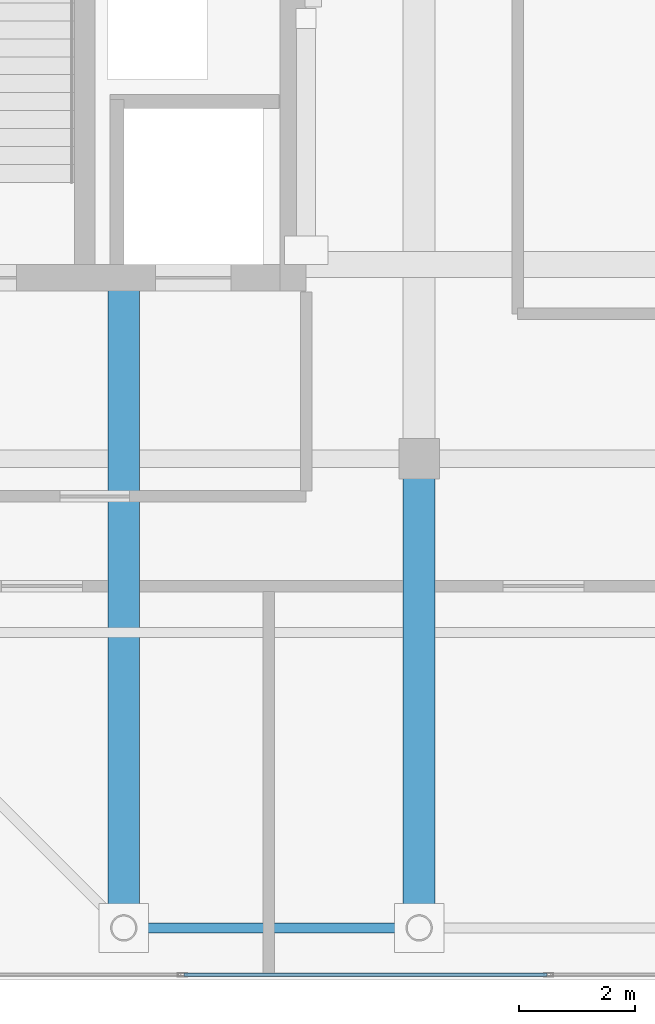
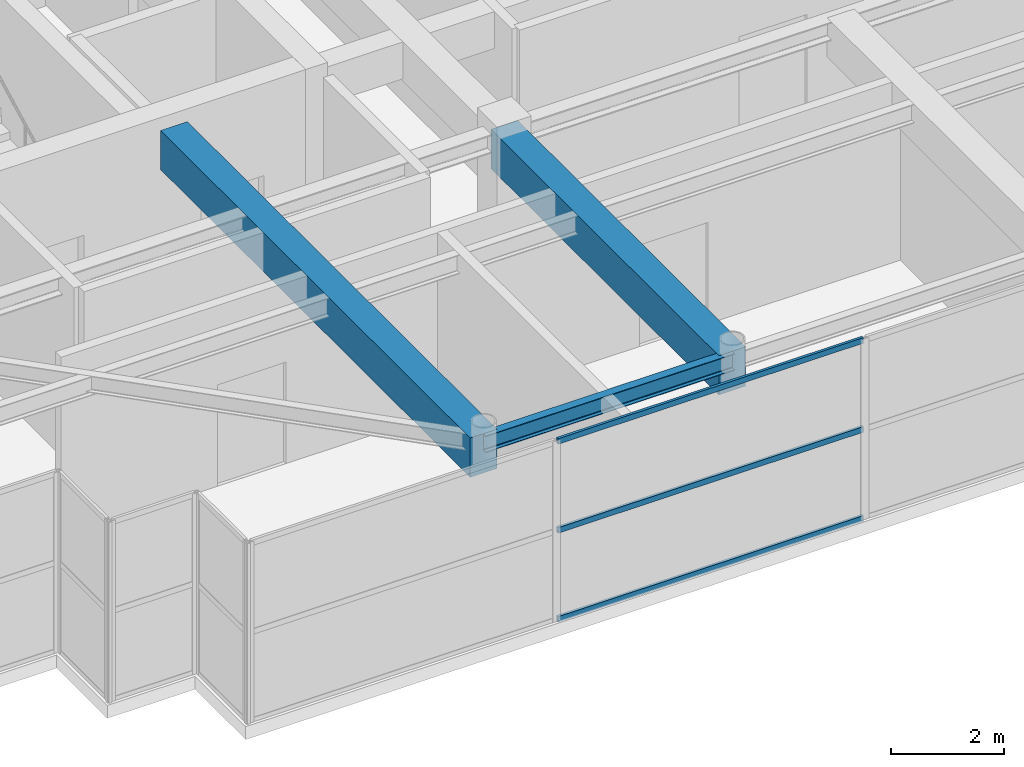
# One storey, part 4 of 32: 3 beams, 3 members, 1 element without a shape of its own.
"""IFC4 building model written with IfcOpenShell, lengths in metres."""

from ifc_helpers import new_model, si_unit, direction, frame, origin, origin_2d, place, context, subcontext, project, spatial, rectangle, hollow_rectangle, i_section, extrude, source, transform, mapped, material, layer, layer_set, material_profile, profile_set, type_object, element, aggregate, save


model = new_model("IFC4")

# Units and contexts
model_context = context("Model", 3, precision=1e-05, world=origin(), true_north=direction((0.0, 1.0)))
body_context = subcontext(model_context, "Body", "Model", "MODEL_VIEW")
ifc_project = project(units=[si_unit("LENGTHUNIT", "METRE"), si_unit("AREAUNIT", "SQUARE_METRE"), si_unit("VOLUMEUNIT", "CUBIC_METRE"), si_unit("PLANEANGLEUNIT", "RADIAN"), si_unit("MASSUNIT", "GRAM", prefix="KILO")], contexts=[model_context])

# Site, building, storey
site_placement = place(None, origin())
site = spatial("IfcSite", under=ifc_project, at=site_placement, CompositionType="ELEMENT")
building_placement = place(site_placement, origin())
building = spatial("IfcBuilding", under=site, at=building_placement, Name="Khoralis Quay Care Tower", CompositionType="ELEMENT")
storey_placement = place(building_placement, frame((0.0, 0.0, 293.699951171875)))
storey = spatial("IfcBuildingStorey", under=building, at=storey_placement, Name="L77", CompositionType="ELEMENT", Elevation=293.699951171875)

# Beams
ifc_material_1 = material(Name="Steel S355", Category="steel")
ifc_material_profile_1 = material_profile(ifc_material_1, i_section(OverallWidth=0.169921875, OverallDepth=0.360107421875, WebThickness=0.008056640625, FlangeThickness=0.0126953125, FilletRadius=0.01806640625, at=origin_2d()), Name="Steel S355")
ifc_profile_set_1 = profile_set([ifc_material_profile_1], Name="Steel S355")
beam_type_1 = type_object("IfcBeamType", Name="BM-IPE360", PredefinedType="SPANDREL", material=ifc_profile_set_1)
shared_shape_1 = source(origin(), body_context, "Body", "SweptSolid", [
    extrude(i_section(OverallWidth=0.169921875, OverallDepth=0.360107421875, WebThickness=0.008056640625, FlangeThickness=0.0126953125, FilletRadius=0.01806640625, at=origin_2d()), origin(), (0.0, 0.0, 1.0), 5.10009765625),
])
beam_1_placement = place(storey_placement, frame((12.0, 3.89990234375, 3.739990234375), z_axis=(1.0, 0.0, 0.0), x_axis=(0.0, 1.0, 0.0)))
element("IfcBeam", 1, at=beam_1_placement, inside=storey, type_object=beam_type_1, Name="BM-TSP-L77-01", PredefinedType="SPANDREL", context=body_context, shape_type="MappedRepresentation", body=[
    mapped(shared_shape_1, transform((0.0, 0.0, 0.0), scale=1.0)),
])
ifc_material_2 = material(Name="Concrete C50/60", Category="concrete")
ifc_material_profile_2 = material_profile(ifc_material_2, rectangle(XDim=0.550048828125, YDim=0.85009765625, at=origin_2d()), Name="Concrete C50/60")
ifc_profile_set_2 = profile_set([ifc_material_profile_2], Name="Concrete C50/60")
beam_type_2 = type_object("IfcBeamType", Name="BM-RC550X850", PredefinedType="BEAM", material=ifc_profile_set_2)
shared_shape_2 = source(origin(), body_context, "Body", "SweptSolid", [
    extrude(rectangle(XDim=0.550048828125, YDim=0.85009765625, at=origin_2d()), origin(), (0.0, 0.0, 1.0), 8.10009765625),
])
beam_2_placement = place(storey_placement, frame((17.10009765625, 3.89990234375, 3.4951171875), z_axis=(0.0, 1.0, 0.0), x_axis=(-1.0, 0.0, 0.0)))
element("IfcBeam", 2, at=beam_2_placement, inside=storey, type_object=beam_type_2, Name="BM-TGYS-L77-171", PredefinedType="BEAM", context=body_context, shape_type="MappedRepresentation", body=[
    mapped(shared_shape_2, transform((0.0, 0.0, 0.0), scale=1.0)),
])
shared_shape_3 = source(origin(), body_context, "Body", "SweptSolid", [
    extrude(rectangle(XDim=0.550048828125, YDim=0.85009765625, at=origin_2d()), origin(), (0.0, 0.0, 1.0), 11.002197265625),
])
beam_3_placement = place(storey_placement, frame((12.0, 3.89990234375, 3.4951171875), z_axis=(0.0, 1.0, 0.0), x_axis=(-1.0, 0.0, 0.0)))
element("IfcBeam", 3, at=beam_3_placement, inside=storey, type_object=beam_type_2, Name="BM-TGYS-L77-120", PredefinedType="BEAM", context=body_context, shape_type="MappedRepresentation", body=[
    mapped(shared_shape_3, transform((0.0, 0.0, 0.0), scale=1.0)),
])

# Curtain wall, members
ifc_material_3 = material(Name="Pale anodised aluminium", Category="aluminium")
ifc_layer = layer(ifc_material_3, 0.199951171875)
ifc_layer_set = layer_set([ifc_layer], Name="Pale anodised aluminium")
curtain_wall_type = type_object("IfcCurtainWallType", Name="CW-SYS-LANTERN", PredefinedType="NOTDEFINED", material=ifc_layer_set)
curtain_wall_placement = place(storey_placement, origin())
curtain_wall = element("IfcCurtainWall", 4, at=curtain_wall_placement, inside=storey, type_object=curtain_wall_type, Name="L77 Unitised Curtain Wall CW-LN-L77-01", PredefinedType="NOTDEFINED")
ifc_material_profile_3 = material_profile(ifc_material_3, hollow_rectangle(XDim=0.054931640625, YDim=0.1201171875, WallThickness=0.00390625, at=origin_2d()), Name="Pale anodised aluminium")
ifc_profile_set_3 = profile_set([ifc_material_profile_3], Name="Pale anodised aluminium")
member_type = type_object("IfcMemberType", Name="CW-TRN-120", PredefinedType="USERDEFINED", material=ifc_profile_set_3)
shared_shape_4 = source(origin(), body_context, "Body", "SweptSolid", [
    extrude(hollow_rectangle(XDim=0.054931640625, YDim=0.1201171875, WallThickness=0.00390625, at=origin_2d()), origin(), (0.0, 0.0, 1.0), 6.26416015625),
])
member_1_placement = place(storey_placement, frame((13.0439453125, 3.090087890625, 0.030029296875), z_axis=(1.0, 0.0, 0.0), x_axis=(0.0, 1.0, 0.0)))
member_1 = element("IfcMember", 5, at=member_1_placement, type_object=member_type, Name="CW5 transom 2.1", ObjectType="TRANSOM", PredefinedType="USERDEFINED", context=body_context, shape_type="MappedRepresentation", body=[
    mapped(shared_shape_4, transform((0.0, 0.0, 0.0), scale=1.0)),
])
member_2_placement = place(storey_placement, frame((13.0439453125, 3.090087890625, 1.9599609375), z_axis=(1.0, 0.0, 0.0), x_axis=(0.0, 1.0, 0.0)))
member_2 = element("IfcMember", 6, at=member_2_placement, type_object=member_type, Name="CW5 transom 2.2", ObjectType="TRANSOM", PredefinedType="USERDEFINED", context=body_context, shape_type="MappedRepresentation", body=[
    mapped(shared_shape_4, transform((0.0, 0.0, 0.0), scale=1.0)),
])
member_3_placement = place(storey_placement, frame((13.0439453125, 3.090087890625, 3.89013671875), z_axis=(1.0, 0.0, 0.0), x_axis=(0.0, 1.0, 0.0)))
member_3 = element("IfcMember", 7, at=member_3_placement, type_object=member_type, Name="CW5 transom 2.3", ObjectType="TRANSOM", PredefinedType="USERDEFINED", context=body_context, shape_type="MappedRepresentation", body=[
    mapped(shared_shape_4, transform((0.0, 0.0, 0.0), scale=1.0)),
])
aggregate(curtain_wall, [member_1, member_2, member_3])

save(model, "model.ifc")
